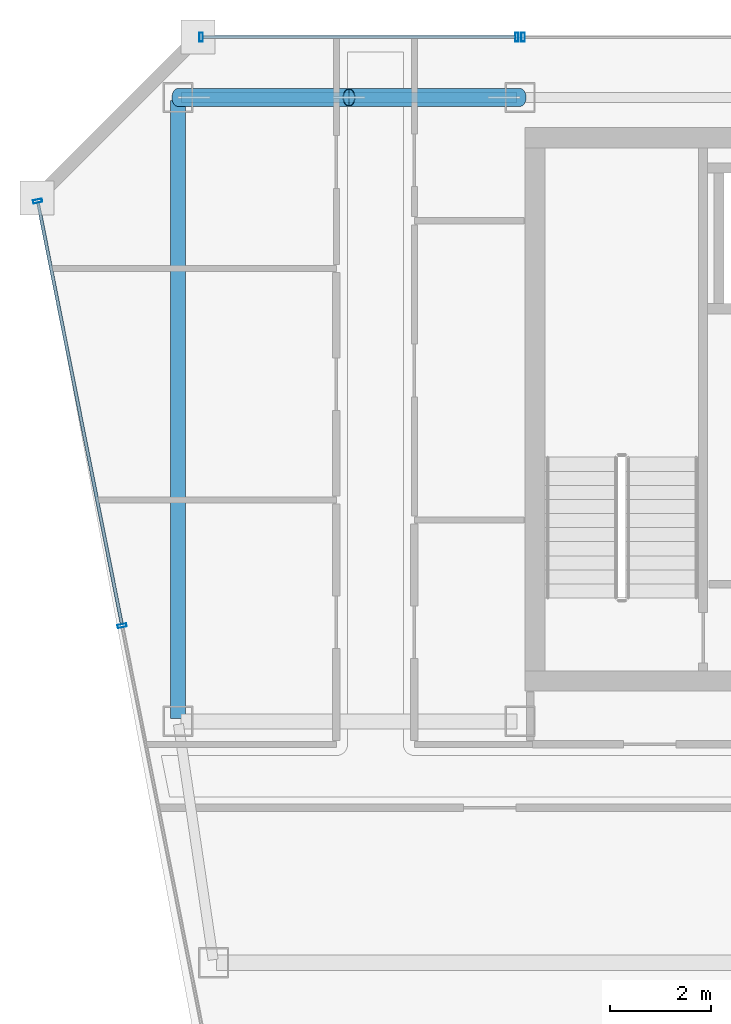
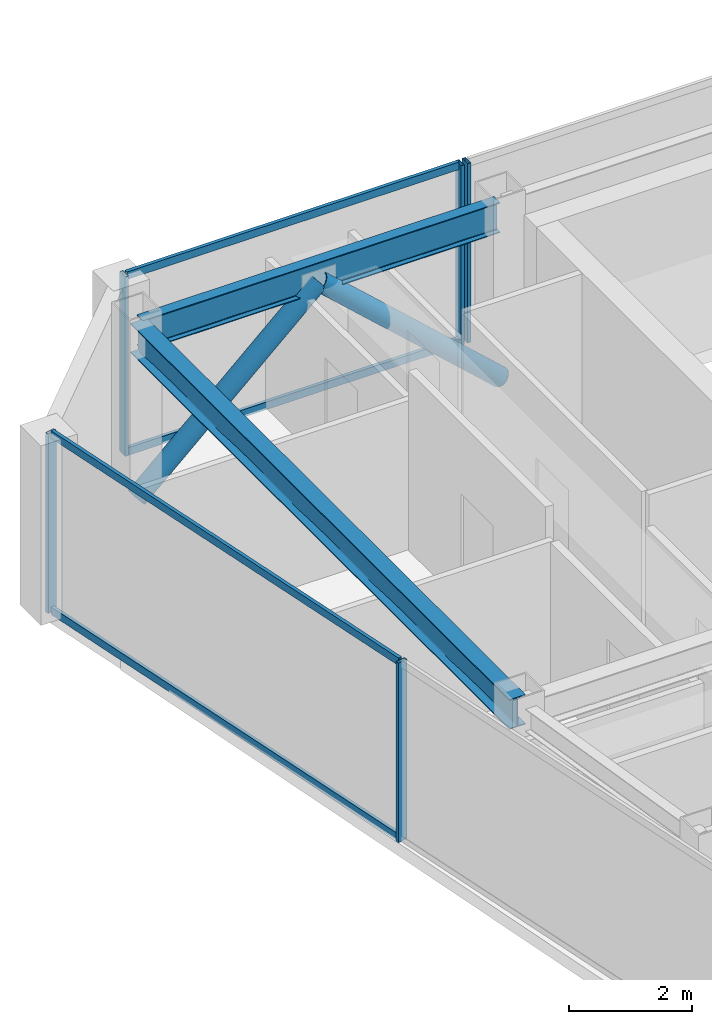
# One storey, part 6 of 20: 11 members, 2 beams, 3 elements without a shape of their own.
"""IFC4 building model written with IfcOpenShell, lengths in metres."""

from ifc_helpers import new_model, si_unit, direction, frame, origin, origin_2d, place, context, subcontext, project, spatial, hollow_rectangle, hollow_circle, i_section, extrude, material, material_profile, profile_set, type_object, element, aggregate, save


model = new_model("IFC4")

# Units and contexts
model_context = context("Model", 3, precision=1e-05, world=origin(), true_north=direction((0.0, 1.0)))
body_context = subcontext(model_context, "Body", "Model", "MODEL_VIEW")
ifc_project = project(units=[si_unit("LENGTHUNIT", "METRE"), si_unit("AREAUNIT", "SQUARE_METRE"), si_unit("VOLUMEUNIT", "CUBIC_METRE"), si_unit("PLANEANGLEUNIT", "RADIAN"), si_unit("MASSUNIT", "GRAM", prefix="KILO")], contexts=[model_context])

# Site, building, storey
site_placement = place(None, origin())
site = spatial("IfcSite", under=ifc_project, at=site_placement, CompositionType="ELEMENT")
building_placement = place(site_placement, origin())
building = spatial("IfcBuilding", under=site, at=building_placement, Name="Saevonmaru Cultural Tower", CompositionType="ELEMENT")
storey_placement = place(building_placement, frame((0.0, 0.0, 295.199951171875)))
storey = spatial("IfcBuildingStorey", under=building, at=storey_placement, Name="L70", CompositionType="ELEMENT", Elevation=295.199951171875)

# Beams
ifc_material_1 = material(Name="Steel SM355", Category="steel")
ifc_material_profile_1 = material_profile(ifc_material_1, i_section(OverallWidth=0.300048828125, OverallDepth=0.587890625, WebThickness=0.011962890625, FlangeThickness=0.02001953125, FilletRadius=0.02392578125, at=origin_2d()), Name="H-588x300x12x20")
ifc_profile_set_1 = profile_set([ifc_material_profile_1], Name="Steel SM355")
beam_type_1 = type_object("IfcBeamType", Name="BM-G-H588", PredefinedType="BEAM", material=ifc_profile_set_1)
beam_1_placement = place(storey_placement, frame((6.800048828125, 54.739990234375, 3.256103515625), z_axis=(0.0, -1.0, 0.0), x_axis=(1.0, 0.0, 0.0)))
element("IfcBeam", 1, at=beam_1_placement, inside=storey, type_object=beam_type_1, Name="L70 Spine Transverse Girder W", PredefinedType="BEAM", context=body_context, shape_type="SweptSolid", body=[
    extrude(i_section(OverallWidth=0.300048828125, OverallDepth=0.587890625, WebThickness=0.011962890625, FlangeThickness=0.02001953125, FilletRadius=0.02392578125, at=origin_2d()), origin(), (0.0, 0.0, 1.0), 12.280029296875),
])
ifc_material_profile_2 = material_profile(ifc_material_1, i_section(OverallWidth=0.199951171875, OverallDepth=0.60009765625, WebThickness=0.010986328125, FlangeThickness=0.01708984375, FilletRadius=0.02197265625, at=origin_2d()), Name="H-600x200x11x17")
ifc_profile_set_2 = profile_set([ifc_material_profile_2], Name="Steel SM355")
beam_type_2 = type_object("IfcBeamType", Name="BM-SP-H600", PredefinedType="SPANDREL", material=ifc_profile_set_2)
beam_2_placement = place(storey_placement, frame((6.860107421875, 54.800048828125, 3.25), z_axis=(1.0, 0.0, 0.0), x_axis=(0.0, 1.0, 0.0)))
element("IfcBeam", 2, at=beam_2_placement, inside=storey, type_object=beam_type_2, Name="L70 North Spine Girder 1", PredefinedType="SPANDREL", context=body_context, shape_type="SweptSolid", body=[
    extrude(i_section(OverallWidth=0.199951171875, OverallDepth=0.60009765625, WebThickness=0.010986328125, FlangeThickness=0.01708984375, FilletRadius=0.02197265625, at=origin_2d()), origin(), (0.0, 0.0, 1.0), 6.679931640625),
])

# Members
ifc_material_profile_3 = material_profile(ifc_material_1, hollow_circle(Radius=0.177734375, WallThickness=0.01611328125, at=origin_2d()), Name="CHS-355.6x16")
ifc_profile_set_3 = profile_set([ifc_material_profile_3], Name="Steel SM355")
member_type_1 = type_object("IfcMemberType", Name="MB-PBR-CHS356", PredefinedType="BRACE", material=ifc_profile_set_3)
member_1_placement = place(storey_placement, frame((6.800048828125, 54.800048828125, 0.02001953125), z_axis=(0.738935641579, 0.0, 0.673776014417), x_axis=(0.0, 1.0, 0.0)))
element("IfcMember", 3, at=member_1_placement, inside=storey, type_object=member_type_1, Name="L70 Perimeter Braced-Tube Diagonal WN1", PredefinedType="BRACE", context=body_context, shape_type="SweptSolid", body=[
    extrude(hollow_circle(Radius=0.177734375, WallThickness=0.01611328125, at=origin_2d()), origin(), (0.0, 0.0, 1.0), 4.60107421875),
])
member_2_placement = place(storey_placement, frame((13.60009765625, 54.800048828125, 0.02001953125), z_axis=(-0.738959728749, 0.0, 0.673749596873), x_axis=(0.0, -1.0, 0.0)))
element("IfcMember", 4, at=member_2_placement, inside=storey, type_object=member_type_1, Name="L70 Perimeter Braced-Tube Diagonal WN2", PredefinedType="BRACE", context=body_context, shape_type="SweptSolid", body=[
    extrude(hollow_circle(Radius=0.177734375, WallThickness=0.01611328125, at=origin_2d()), origin(), (0.0, 0.0, 1.0), 4.601318359375),
])

# Curtain wall, member
ifc_material_2 = material(Name="Satin Bronze Anodised Aluminium", Category="aluminium")
curtain_wall_type = type_object("IfcCurtainWallType", Name="CW-TYP-B", PredefinedType="NOTDEFINED", material=ifc_material_2)
curtain_wall_1_placement = place(storey_placement, origin())
curtain_wall_1 = element("IfcCurtainWall", 5, at=curtain_wall_1_placement, inside=storey, type_object=curtain_wall_type, Name="L70 North Spine Unitised Curtain Wall E10B", PredefinedType="NOTDEFINED")
ifc_material_profile_4 = material_profile(ifc_material_2, hollow_rectangle(XDim=0.06494140625, YDim=0.179931640625, WallThickness=0.00390625, at=origin_2d()), Name="ALU-MULL-180x65x4")
ifc_profile_set_4 = profile_set([ifc_material_profile_4], Name="Satin Bronze Anodised Aluminium")
member_type_2 = type_object("IfcMemberType", Name="ML-CW-180x65", PredefinedType="MULLION", material=ifc_profile_set_4)
member_3_placement = place(storey_placement, frame((13.659912109375, 56.0, 0.0), z_axis=(0.0, 0.0, 1.0), x_axis=(-1.0, 0.0, 0.0)))
member_3 = element("IfcMember", 6, at=member_3_placement, type_object=member_type_2, Name="CW-TW-L70-E10B mullion 4", PredefinedType="MULLION", context=body_context, shape_type="SweptSolid", body=[
    extrude(hollow_rectangle(XDim=0.06494140625, YDim=0.179931640625, WallThickness=0.00390625, at=origin_2d()), origin(), (0.0, 0.0, 1.0), 3.550048828125),
])
aggregate(curtain_wall_1, [member_3])

# Curtain wall, members
curtain_wall_2_placement = place(storey_placement, origin())
curtain_wall_2 = element("IfcCurtainWall", 7, at=curtain_wall_2_placement, inside=storey, type_object=curtain_wall_type, Name="L70 West Braced Bay Spandrel Curtain Wall E10C", PredefinedType="NOTDEFINED")
member_4_placement = place(storey_placement, frame((13.5400390625, 56.0, 0.0), z_axis=(0.0, 0.0, 1.0), x_axis=(-1.0, 0.0, 0.0)))
member_4 = element("IfcMember", 8, at=member_4_placement, type_object=member_type_2, Name="CW-TW-L70-E10C mullion 1", PredefinedType="MULLION", context=body_context, shape_type="SweptSolid", body=[
    extrude(hollow_rectangle(XDim=0.06494140625, YDim=0.179931640625, WallThickness=0.00390625, at=origin_2d()), origin(), (0.0, 0.0, 1.0), 3.550048828125),
])
member_5_placement = place(storey_placement, frame((7.260009765625, 56.0, 0.0), z_axis=(0.0, 0.0, 1.0), x_axis=(-1.0, 0.0, 0.0)))
member_5 = element("IfcMember", 9, at=member_5_placement, type_object=member_type_2, Name="CW-TW-L70-E10C mullion 2", PredefinedType="MULLION", context=body_context, shape_type="SweptSolid", body=[
    extrude(hollow_rectangle(XDim=0.06494140625, YDim=0.179931640625, WallThickness=0.00390625, at=origin_2d()), origin(), (0.0, 0.0, 1.0), 3.550048828125),
])

curtain_wall_3_placement = place(storey_placement, origin())
curtain_wall_3 = element("IfcCurtainWall", 10, at=curtain_wall_3_placement, inside=storey, type_object=curtain_wall_type, Name="L70 Unitised Curtain Wall E12", PredefinedType="NOTDEFINED")
member_6_placement = place(storey_placement, frame((4.01171875, 52.7412109375, 0.0), z_axis=(0.0, 0.0, 1.0), x_axis=(0.195005484813, -0.980802151758, 0.0)))
member_6 = element("IfcMember", 11, at=member_6_placement, type_object=member_type_2, Name="CW-TW-L70-E12 mullion 1", PredefinedType="MULLION", context=body_context, shape_type="SweptSolid", body=[
    extrude(hollow_rectangle(XDim=0.06494140625, YDim=0.179931640625, WallThickness=0.00390625, at=origin_2d()), origin(), (0.0, 0.0, 1.0), 3.550048828125),
])
member_7_placement = place(storey_placement, frame((5.68994140625, 44.300048828125, 0.0), z_axis=(0.0, 0.0, 1.0), x_axis=(0.195005484813, -0.980802151758, 0.0)))
member_7 = element("IfcMember", 12, at=member_7_placement, type_object=member_type_2, Name="CW-TW-L70-E12 mullion 2", PredefinedType="MULLION", context=body_context, shape_type="SweptSolid", body=[
    extrude(hollow_rectangle(XDim=0.06494140625, YDim=0.179931640625, WallThickness=0.00390625, at=origin_2d()), origin(), (0.0, 0.0, 1.0), 3.550048828125),
])

# Member
ifc_material_profile_5 = material_profile(ifc_material_2, hollow_rectangle(XDim=0.06494140625, YDim=0.14990234375, WallThickness=0.00390625, at=origin_2d()), Name="ALU-TRAN-150x65x4")
ifc_profile_set_5 = profile_set([ifc_material_profile_5], Name="Satin Bronze Anodised Aluminium")
member_type_3 = type_object("IfcMemberType", Name="TR-CW-150x65", PredefinedType="USERDEFINED", material=ifc_profile_set_5)
member_8_placement = place(storey_placement, frame((13.507568359375, 56.0, 0.032470703125), z_axis=(-1.0, 0.0, 0.0), x_axis=(0.0, -1.0, 0.0)))
member_8 = element("IfcMember", 13, at=member_8_placement, type_object=member_type_3, Name="CW-TW-L70-E10C transom 1.1", ObjectType="TRANSOM", PredefinedType="USERDEFINED", context=body_context, shape_type="SweptSolid", body=[
    extrude(hollow_rectangle(XDim=0.06494140625, YDim=0.14990234375, WallThickness=0.00390625, at=origin_2d()), origin(), (0.0, 0.0, 1.0), 6.215087890625),
])

member_9_placement = place(storey_placement, frame((13.507568359375, 56.0, 3.517578125), z_axis=(-1.0, 0.0, 0.0), x_axis=(0.0, -1.0, 0.0)))
member_9 = element("IfcMember", 14, at=member_9_placement, type_object=member_type_3, Name="CW-TW-L70-E10C transom 1.2", ObjectType="TRANSOM", PredefinedType="USERDEFINED", context=body_context, shape_type="SweptSolid", body=[
    extrude(hollow_rectangle(XDim=0.06494140625, YDim=0.14990234375, WallThickness=0.00390625, at=origin_2d()), origin(), (0.0, 0.0, 1.0), 6.215087890625),
])

aggregate(curtain_wall_2, [member_4, member_5, member_8, member_9])

member_10_placement = place(storey_placement, frame((4.01806640625, 52.709228515625, 0.032470703125), z_axis=(0.194994665552, -0.980804302808, 0.0), x_axis=(0.980804302808, 0.194994665552, 0.0)))
member_10 = element("IfcMember", 15, at=member_10_placement, type_object=member_type_3, Name="CW-TW-L70-E12 transom 1.1", ObjectType="TRANSOM", PredefinedType="USERDEFINED", context=body_context, shape_type="SweptSolid", body=[
    extrude(hollow_rectangle(XDim=0.06494140625, YDim=0.14990234375, WallThickness=0.00390625, at=origin_2d()), origin(), (0.0, 0.0, 1.0), 8.54150390625),
])

member_11_placement = place(storey_placement, frame((4.01806640625, 52.709228515625, 3.517578125), z_axis=(0.194994665552, -0.980804302808, 0.0), x_axis=(0.980804302808, 0.194994665552, 0.0)))
member_11 = element("IfcMember", 16, at=member_11_placement, type_object=member_type_3, Name="CW-TW-L70-E12 transom 1.2", ObjectType="TRANSOM", PredefinedType="USERDEFINED", context=body_context, shape_type="SweptSolid", body=[
    extrude(hollow_rectangle(XDim=0.06494140625, YDim=0.14990234375, WallThickness=0.00390625, at=origin_2d()), origin(), (0.0, 0.0, 1.0), 8.54150390625),
])

aggregate(curtain_wall_3, [member_6, member_7, member_10, member_11])

save(model, "model.ifc")
